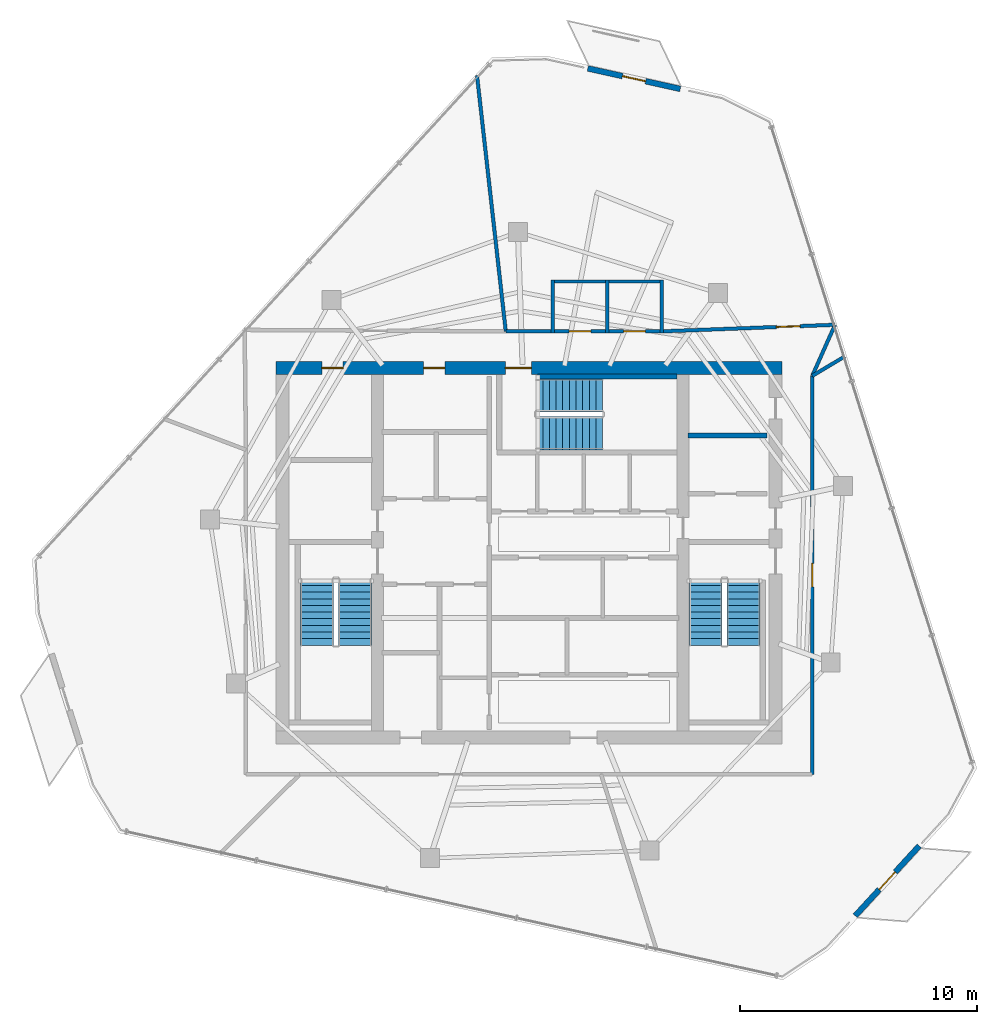
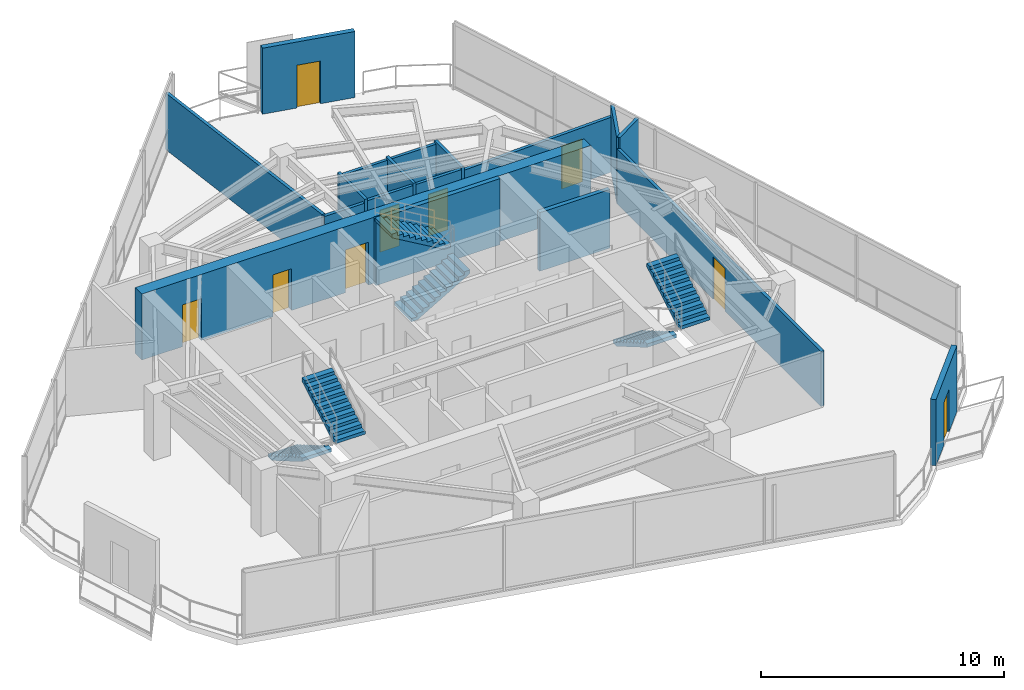
# One storey, part 16 of 18: 18 walls, 9 doors, 6 stair flights, 9 openings, 3 elements without a shape of their own.
"""IFC4 building model written with IfcOpenShell, lengths in metres."""

from ifc_helpers import new_model, si_unit, direction, frame, frame_2d, origin, place, context, subcontext, project, spatial, polyline, rectangle, outline, extrude, material, layer, layer_set, type_object, element, fill, aggregate, save


model = new_model("IFC4")

# Units and contexts
model_context = context("Model", 3, precision=1e-05, world=origin(), true_north=direction((0.0, 1.0)))
body_context = subcontext(model_context, "Body", "Model", "MODEL_VIEW")
ifc_project = project(units=[si_unit("LENGTHUNIT", "METRE"), si_unit("AREAUNIT", "SQUARE_METRE"), si_unit("VOLUMEUNIT", "CUBIC_METRE"), si_unit("PLANEANGLEUNIT", "RADIAN"), si_unit("MASSUNIT", "GRAM", prefix="KILO")], contexts=[model_context])

# Site, building, storey
site_placement = place(None, origin())
site = spatial("IfcSite", under=ifc_project, at=site_placement, CompositionType="ELEMENT")
building_placement = place(site_placement, origin())
building = spatial("IfcBuilding", under=site, at=building_placement, Name="Qarnah Convention Tower", CompositionType="ELEMENT")
storey_placement = place(building_placement, frame((0.0, 0.0, 246.300048828125)))
storey = spatial("IfcBuildingStorey", under=building, at=storey_placement, Name="L66", CompositionType="ELEMENT", Elevation=246.300048828125)

# Wall, openings, doors
ifc_material_1 = material(Name="Concrete C60/75", Category="concrete")
ifc_layer_1 = layer(ifc_material_1, 0.550048828125)
ifc_layer_set_1 = layer_set([ifc_layer_1], Name="Concrete C60/75")
wall_type_1 = type_object("IfcWallType", Name="WL-CORE-550", PredefinedType="SHEAR", material=ifc_layer_set_1)
wall_1_placement = place(storey_placement, frame((26.52490234375, 34.199951171875, 0.0), z_axis=(0.0, 0.0, 1.0), x_axis=(1.0, 0.0, 0.0)))
wall_1 = element("IfcWall", 1, at=wall_1_placement, inside=storey, type_object=wall_type_1, Name="L66 core north shear wall", PredefinedType="SHEAR", context=body_context, shape_type="SweptSolid", body=[
    extrude(rectangle(XDim=21.35009765625, YDim=0.550048828125, at=frame_2d((10.675048828125, 0.0))), origin(), (0.0, 0.0, 1.0), 3.320068359375),
])
opening_1_placement = place(wall_1_placement, frame((9.675048828125, 0.0, 0.0)))
opening_1 = element("IfcOpeningElement", 2, at=opening_1_placement, cuts=wall_1, Name="Opening D-6603", PredefinedType="OPENING", context=body_context, shape_type="SweptSolid", body=[
    extrude(rectangle(XDim=1.10009765625, YDim=2.14990234375, at=frame_2d((0.550048828125, 1.074951171875))), frame((0.0, 0.284912109375, 0.0), z_axis=(0.0, -1.0, 0.0), x_axis=(1.0, 0.0, 0.0)), (0.0, 0.0, 1.0), 0.570068359375),
])
opening_2_placement = place(wall_1_placement, frame((1.925048828125, 0.0, 0.0)))
opening_2 = element("IfcOpeningElement", 3, at=opening_2_placement, cuts=wall_1, Name="Opening D-6609", PredefinedType="OPENING", context=body_context, shape_type="SweptSolid", body=[
    extrude(rectangle(XDim=0.89990234375, YDim=2.10009765625, at=frame_2d((0.449951171875, 1.050048828125))), frame((0.0, 0.284912109375, 0.0), z_axis=(0.0, -1.0, 0.0), x_axis=(1.0, 0.0, 0.0)), (0.0, 0.0, 1.0), 0.570068359375),
])
opening_3_placement = place(wall_1_placement, frame((6.22509765625, 0.0, 0.0)))
opening_3 = element("IfcOpeningElement", 4, at=opening_3_placement, cuts=wall_1, Name="Opening D-6610", PredefinedType="OPENING", context=body_context, shape_type="SweptSolid", body=[
    extrude(rectangle(XDim=0.89990234375, YDim=2.10009765625, at=frame_2d((0.449951171875, 1.050048828125))), frame((0.0, 0.284912109375, 0.0), z_axis=(0.0, -1.0, 0.0), x_axis=(1.0, 0.0, 0.0)), (0.0, 0.0, 1.0), 0.570068359375),
])
ifc_material_2 = material(Name="Structural steel S355JR", Category="steel")
door_type_1 = type_object("IfcDoorType", Name="DT-RISER-900", OperationType="NOTDEFINED", PredefinedType="DOOR", material=ifc_material_2)
door_1_placement = place(opening_2_placement, origin())
door_1 = element("IfcDoor", 5, at=door_1_placement, inside=storey, type_object=door_type_1, Name="Door D-6609", OperationType="SINGLE_SWING_RIGHT", OverallHeight=2.10009765625, OverallWidth=0.89990234375, PredefinedType="DOOR", context=body_context, shape_type="SweptSolid", body=[
    extrude(rectangle(XDim=0.89990234375, YDim=2.10009765625, at=frame_2d((0.449951171875, 1.050048828125))), frame((0.0, 0.02490234375, 0.0), z_axis=(0.0, -1.0, 0.0), x_axis=(1.0, 0.0, 0.0)), (0.0, 0.0, 1.0), 0.050048828125),
])
fill(opening_2, door_1)
door_2_placement = place(opening_3_placement, origin())
door_2 = element("IfcDoor", 6, at=door_2_placement, inside=storey, type_object=door_type_1, Name="Door D-6610", OperationType="SINGLE_SWING_LEFT", OverallHeight=2.10009765625, OverallWidth=0.89990234375, PredefinedType="DOOR", context=body_context, shape_type="SweptSolid", body=[
    extrude(rectangle(XDim=0.89990234375, YDim=2.10009765625, at=frame_2d((0.449951171875, 1.050048828125))), frame((0.0, 0.02490234375, 0.0), z_axis=(0.0, -1.0, 0.0), x_axis=(1.0, 0.0, 0.0)), (0.0, 0.0, 1.0), 0.050048828125),
])
fill(opening_3, door_2)
door_type_2 = type_object("IfcDoorType", Name="DT-STAIR-1100", OperationType="NOTDEFINED", PredefinedType="DOOR", material=ifc_material_2)
door_3_placement = place(opening_1_placement, origin())
door_3 = element("IfcDoor", 7, at=door_3_placement, inside=storey, type_object=door_type_2, Name="Door D-6603", OperationType="SINGLE_SWING_RIGHT", OverallHeight=2.14990234375, OverallWidth=1.10009765625, PredefinedType="DOOR", context=body_context, shape_type="SweptSolid", body=[
    extrude(rectangle(XDim=1.10009765625, YDim=2.14990234375, at=frame_2d((0.550048828125, 1.074951171875))), frame((0.0, 0.02490234375, 0.0), z_axis=(0.0, -1.0, 0.0), x_axis=(1.0, 0.0, 0.0)), (0.0, 0.0, 1.0), 0.050048828125),
])
fill(opening_1, door_3)

# Walls
ifc_material_3 = material(Name="Concrete C45/55", Category="concrete")
ifc_layer_2 = layer(ifc_material_3, 0.199951171875)
ifc_layer_set_2 = layer_set([ifc_layer_2], Name="Concrete C45/55")
wall_type_2 = type_object("IfcWallType", Name="WL-CORE-PART-200", PredefinedType="SOLIDWALL", material=ifc_layer_set_2)
wall_2_placement = place(storey_placement, frame((43.89990234375, 31.35009765625, 0.0), z_axis=(0.0, 0.0, 1.0), x_axis=(1.0, 0.0, 0.0)))
element("IfcWall", 8, at=wall_2_placement, inside=storey, type_object=wall_type_2, Name="L66 interior wall IW-L66-WTRN", PredefinedType="SOLIDWALL", context=body_context, shape_type="SweptSolid", body=[
    extrude(rectangle(XDim=3.35009765625, YDim=0.199951171875, at=frame_2d((1.675048828125, 0.0))), origin(), (0.0, 0.0, 1.0), 2.948974609375),
])
ifc_layer_3 = layer(ifc_material_1, 0.219970703125)
ifc_layer_set_3 = layer_set([ifc_layer_3], Name="Concrete C60/75")
wall_type_3 = type_object("IfcWallType", Name="WL-CORE-STAIR-220", PredefinedType="SHEAR", material=ifc_layer_set_3)
wall_3_placement = place(storey_placement, frame((37.550048828125, 33.840087890625, 0.0), z_axis=(0.0, 0.0, 1.0), x_axis=(1.0, 0.0, 0.0)))
element("IfcWall", 9, at=wall_3_placement, inside=storey, type_object=wall_type_3, Name="L66 stair shaft shear wall SW-L66-ST3N", PredefinedType="SHEAR", context=body_context, shape_type="SweptSolid", body=[
    extrude(rectangle(XDim=5.89990234375, YDim=0.219970703125, at=frame_2d((2.949951171875, 0.0))), origin(), (0.0, 0.0, 1.0), 3.320068359375),
])

# Wall, opening, door
ifc_material_4 = material(Name="Precast concrete C45/55", Category="concrete")
ifc_layer_4 = layer(ifc_material_4, 0.239990234375)
ifc_layer_set_4 = layer_set([ifc_layer_4], Name="Precast concrete C45/55")
wall_type_4 = type_object("IfcWallType", Name="WL-EXT-BAL-240", PredefinedType="SOLIDWALL", material=ifc_layer_set_4)
wall_4_placement = place(storey_placement, frame((39.677001953125, 46.844970703125, 0.0), z_axis=(0.0, 0.0, 1.0), x_axis=(0.976386294002, -0.21603195339, 0.0)))
wall_4 = element("IfcWall", 10, at=wall_4_placement, inside=storey, type_object=wall_type_4, Name="L66 loggia threshold wall BAL-L66-C1", PredefinedType="SOLIDWALL", context=body_context, shape_type="SweptSolid", body=[
    extrude(rectangle(XDim=3.99951171875, YDim=0.239990234375, at=frame_2d((1.999755859375, 0.0))), origin(), (0.0, 0.0, 1.0), 3.320068359375),
])
opening_4_placement = place(wall_4_placement, frame((1.5, 0.0, 0.0)))
opening_4 = element("IfcOpeningElement", 11, at=opening_4_placement, cuts=wall_4, Name="Opening BD-6601", PredefinedType="OPENING", context=body_context, shape_type="SweptSolid", body=[
    extrude(rectangle(XDim=1.0, YDim=2.14990234375, at=frame_2d((0.5, 1.074951171875))), frame((0.0, 0.1298828125, 0.0), z_axis=(0.0, -1.0, 0.0), x_axis=(1.0, 0.0, 0.0)), (0.0, 0.0, 1.0), 0.260009765625),
])
ifc_material_5 = material(Name="Black anodised aluminium", Category="aluminium")
door_type_3 = type_object("IfcDoorType", Name="DT-BAL-1000", OperationType="NOTDEFINED", PredefinedType="DOOR", material=ifc_material_5)
door_4_placement = place(opening_4_placement, origin())
door_4 = element("IfcDoor", 12, at=door_4_placement, inside=storey, type_object=door_type_3, Name="L66 balcony terrace door BAL-L66-C1", OperationType="SINGLE_SWING_LEFT", OverallHeight=2.14990234375, OverallWidth=1.0, PredefinedType="DOOR", context=body_context, shape_type="SweptSolid", body=[
    extrude(rectangle(XDim=1.0, YDim=2.14990234375, at=frame_2d((0.5, 1.074951171875))), frame((0.0, 0.02490234375, 0.0), z_axis=(0.0, -1.0, 0.0), x_axis=(1.0, 0.0, 0.0)), (0.0, 0.0, 1.0), 0.050048828125),
])
fill(opening_4, door_4)

wall_5_placement = place(storey_placement, frame((53.66796875, 14.032958984375, 0.0), z_axis=(0.0, 0.0, 1.0), x_axis=(-0.6754233353, -0.737430212381, 0.0)))
wall_5 = element("IfcWall", 13, at=wall_5_placement, inside=storey, type_object=wall_type_4, Name="L66 loggia threshold wall BAL-L66-C3", PredefinedType="SOLIDWALL", context=body_context, shape_type="SweptSolid", body=[
    extrude(rectangle(XDim=4.000244140625, YDim=0.239990234375, at=frame_2d((2.0, 0.0))), origin(), (0.0, 0.0, 1.0), 3.320068359375),
])
opening_5_placement = place(wall_5_placement, frame((1.5, 0.0, 0.0)))
opening_5 = element("IfcOpeningElement", 14, at=opening_5_placement, cuts=wall_5, Name="Opening BD-6603", PredefinedType="OPENING", context=body_context, shape_type="SweptSolid", body=[
    extrude(rectangle(XDim=1.0, YDim=2.14990234375, at=frame_2d((0.5, 1.074951171875))), frame((0.0, 0.1298828125, 0.0), z_axis=(0.0, -1.0, 0.0), x_axis=(1.0, 0.0, 0.0)), (0.0, 0.0, 1.0), 0.260009765625),
])
door_5_placement = place(opening_5_placement, origin())
door_5 = element("IfcDoor", 15, at=door_5_placement, inside=storey, type_object=door_type_3, Name="L66 balcony terrace door BAL-L66-C3", OperationType="SINGLE_SWING_LEFT", OverallHeight=2.14990234375, OverallWidth=1.0, PredefinedType="DOOR", context=body_context, shape_type="SweptSolid", body=[
    extrude(rectangle(XDim=1.0, YDim=2.14990234375, at=frame_2d((0.5, 1.074951171875))), frame((0.0, 0.02490234375, 0.0), z_axis=(0.0, -1.0, 0.0), x_axis=(1.0, 0.0, 0.0)), (0.0, 0.0, 1.0), 0.050048828125),
])
fill(opening_5, door_5)

# Walls
ifc_material_6 = material(Name="Gypsum partition board")
ifc_layer_5 = layer(ifc_material_6, 0.14990234375)
ifc_layer_set_5 = layer_set([ifc_layer_5], Name="Gypsum partition board")
wall_type_5 = type_object("IfcWallType", Name="WL-SUITE-150", PredefinedType="PARTITIONING", material=ifc_layer_set_5)
wall_6_placement = place(storey_placement, frame((35.0029296875, 46.547119140625, 0.0), z_axis=(0.0, 0.0, 1.0), x_axis=(0.111743460398, -0.993737087493, 0.0)))
element("IfcWall", 16, at=wall_6_placement, inside=storey, type_object=wall_type_5, Name="L66 interior wall IW-L66-R-08", PredefinedType="PARTITIONING", context=body_context, shape_type="SweptSolid", body=[
    extrude(rectangle(XDim=10.865234375, YDim=0.14990234375, at=frame_2d((5.4326171875, 0.0))), origin(), (0.0, 0.0, 1.0), 2.844970703125),
])
wall_7_placement = place(storey_placement, frame((36.217041015625, 35.75, 0.0), z_axis=(0.0, 0.0, 1.0), x_axis=(1.0, 0.0, 0.0)))
element("IfcWall", 17, at=wall_7_placement, inside=storey, type_object=wall_type_5, Name="L66 interior wall IW-L66-R-09", PredefinedType="PARTITIONING", context=body_context, shape_type="SweptSolid", body=[
    extrude(rectangle(XDim=1.912841796875, YDim=0.14990234375, at=frame_2d((0.95654296875, 0.0))), origin(), (0.0, 0.0, 1.0), 2.764892578125),
])

# Wall, opening, door
wall_8_placement = place(storey_placement, frame((42.8701171875, 35.75, 0.0), z_axis=(0.0, 0.0, 1.0), x_axis=(0.999275384893, 0.038061859471, 0.0)))
wall_8 = element("IfcWall", 18, at=wall_8_placement, inside=storey, type_object=wall_type_5, Name="L66 interior wall IW-L66-R-10", PredefinedType="PARTITIONING", context=body_context, shape_type="SweptSolid", body=[
    extrude(rectangle(XDim=7.248291015625, YDim=0.14990234375, at=frame_2d((3.6240234375, 0.0))), origin(), (0.0, 0.0, 1.0), 2.764892578125),
])
opening_6_placement = place(wall_8_placement, frame((4.77197265625, 0.0, 0.0)))
opening_6 = element("IfcOpeningElement", 19, at=opening_6_placement, cuts=wall_8, Name="Opening D-6622", PredefinedType="OPENING", context=body_context, shape_type="SweptSolid", body=[
    extrude(rectangle(XDim=1.0, YDim=2.14990234375, at=frame_2d((0.5, 1.074951171875))), frame((0.0, 0.0849609375, 0.0), z_axis=(0.0, -1.0, 0.0), x_axis=(1.0, 0.0, 0.0)), (0.0, 0.0, 1.0), 0.169921875),
])
ifc_material_7 = material(Name="Oak timber veneer", Category="wood")
door_type_4 = type_object("IfcDoorType", Name="DT-OFFICE-1000", OperationType="NOTDEFINED", PredefinedType="DOOR", material=ifc_material_7)
door_6_placement = place(opening_6_placement, origin())
door_6 = element("IfcDoor", 20, at=door_6_placement, inside=storey, type_object=door_type_4, Name="Door D-6622", OperationType="SINGLE_SWING_LEFT", OverallHeight=2.14990234375, OverallWidth=1.0, PredefinedType="DOOR", context=body_context, shape_type="SweptSolid", body=[
    extrude(rectangle(XDim=1.0, YDim=2.14990234375, at=frame_2d((0.5, 1.074951171875))), frame((0.0, 0.02490234375, 0.0), z_axis=(0.0, -1.0, 0.0), x_axis=(1.0, 0.0, 0.0)), (0.0, 0.0, 1.0), 0.050048828125),
])
fill(opening_6, door_6)

# Walls
wall_9_placement = place(storey_placement, frame((50.113037109375, 36.02587890625, 0.0), z_axis=(0.0, 0.0, 1.0), x_axis=(-0.407412482766, -0.913244254779, 0.0)))
element("IfcWall", 21, at=wall_9_placement, inside=storey, type_object=wall_type_5, Name="L66 interior wall IW-L66-R-11", PredefinedType="PARTITIONING", context=body_context, shape_type="SweptSolid", body=[
    extrude(rectangle(XDim=2.364013671875, YDim=0.14990234375, at=frame_2d((1.18212890625, 0.0))), origin(), (0.0, 0.0, 1.0), 3.320068359375),
])
wall_10_placement = place(storey_placement, frame((49.14990234375, 33.866943359375, 0.0), z_axis=(0.0, 0.0, 1.0), x_axis=(0.857640038482, 0.514250487985, 0.0)))
element("IfcWall", 22, at=wall_10_placement, inside=storey, type_object=wall_type_5, Name="L66 interior wall IW-L66-R-12", PredefinedType="PARTITIONING", context=body_context, shape_type="SweptSolid", body=[
    extrude(rectangle(XDim=1.6103515625, YDim=0.14990234375, at=frame_2d((0.80517578125, 0.0))), origin(), (0.0, 0.0, 1.0), 3.320068359375),
])

# Wall, opening, door
wall_11_placement = place(storey_placement, frame((49.14990234375, 33.866943359375, 0.0), z_axis=(0.0, 0.0, 1.0), x_axis=(0.0, -1.0, 0.0)))
wall_11 = element("IfcWall", 23, at=wall_11_placement, inside=storey, type_object=wall_type_5, Name="L66 interior wall IW-L66-R-21", PredefinedType="PARTITIONING", context=body_context, shape_type="SweptSolid", body=[
    extrude(rectangle(XDim=16.81689453125, YDim=0.14990234375, at=frame_2d((8.408447265625, 0.0))), origin(), (0.0, 0.0, 1.0), 2.764892578125),
])
opening_7_placement = place(wall_11_placement, frame((7.907958984375, 0.0, 0.0)))
opening_7 = element("IfcOpeningElement", 24, at=opening_7_placement, cuts=wall_11, Name="Opening D-6626", PredefinedType="OPENING", context=body_context, shape_type="SweptSolid", body=[
    extrude(rectangle(XDim=1.0, YDim=2.14990234375, at=frame_2d((0.5, 1.074951171875))), frame((0.0, 0.0849609375, 0.0), z_axis=(0.0, -1.0, 0.0), x_axis=(1.0, 0.0, 0.0)), (0.0, 0.0, 1.0), 0.169921875),
])
door_7_placement = place(opening_7_placement, origin())
door_7 = element("IfcDoor", 25, at=door_7_placement, inside=storey, type_object=door_type_4, Name="Door D-6626", OperationType="SINGLE_SWING_LEFT", OverallHeight=2.14990234375, OverallWidth=1.0, PredefinedType="DOOR", context=body_context, shape_type="SweptSolid", body=[
    extrude(rectangle(XDim=1.0, YDim=2.14990234375, at=frame_2d((0.5, 1.074951171875))), frame((0.0, 0.02490234375, 0.0), z_axis=(0.0, -1.0, 0.0), x_axis=(1.0, 0.0, 0.0)), (0.0, 0.0, 1.0), 0.050048828125),
])
fill(opening_7, door_7)

ifc_layer_6 = layer(ifc_material_6, 0.139892578125)
ifc_layer_set_6 = layer_set([ifc_layer_6], Name="Gypsum partition board")
wall_type_6 = type_object("IfcWallType", Name="WL-WET-140", PredefinedType="PARTITIONING", material=ifc_layer_set_6)
wall_12_placement = place(storey_placement, frame((38.1298828125, 35.75, 0.0), z_axis=(0.0, 0.0, 1.0), x_axis=(1.0, 0.0, 0.0)))
wall_12 = element("IfcWall", 26, at=wall_12_placement, inside=storey, type_object=wall_type_6, Name="L66 interior wall IW-L66-WCM-1", PredefinedType="PARTITIONING", context=body_context, shape_type="SweptSolid", body=[
    extrude(rectangle(XDim=2.440185546875, YDim=0.139892578125, at=frame_2d((1.22021484375, 0.0))), origin(), (0.0, 0.0, 1.0), 2.841064453125),
])
opening_8_placement = place(wall_12_placement, frame((0.760009765625, 0.0, 0.0)))
opening_8 = element("IfcOpeningElement", 27, at=opening_8_placement, cuts=wall_12, Name="Opening D-6620", PredefinedType="OPENING", context=body_context, shape_type="SweptSolid", body=[
    extrude(rectangle(XDim=0.919921875, YDim=2.10009765625, at=frame_2d((0.4599609375, 1.050048828125))), frame((0.0, 0.079833984375, 0.0), z_axis=(0.0, -1.0, 0.0), x_axis=(1.0, 0.0, 0.0)), (0.0, 0.0, 1.0), 0.159912109375),
])
door_type_5 = type_object("IfcDoorType", Name="DT-WC-920", OperationType="NOTDEFINED", PredefinedType="DOOR", material=ifc_material_7)
door_8_placement = place(opening_8_placement, origin())
door_8 = element("IfcDoor", 28, at=door_8_placement, inside=storey, type_object=door_type_5, Name="Door D-6620", OperationType="SINGLE_SWING_LEFT", OverallHeight=2.10009765625, OverallWidth=0.919921875, PredefinedType="DOOR", context=body_context, shape_type="SweptSolid", body=[
    extrude(rectangle(XDim=0.919921875, YDim=2.10009765625, at=frame_2d((0.4599609375, 1.050048828125))), frame((0.0, 0.02490234375, 0.0), z_axis=(0.0, -1.0, 0.0), x_axis=(1.0, 0.0, 0.0)), (0.0, 0.0, 1.0), 0.050048828125),
])
fill(opening_8, door_8)

# Walls
wall_13_placement = place(storey_placement, frame((40.5, 35.679931640625, 0.0), z_axis=(0.0, 0.0, 1.0), x_axis=(0.0, 1.0, 0.0)))
element("IfcWall", 29, at=wall_13_placement, inside=storey, type_object=wall_type_6, Name="L66 interior wall IW-L66-WCM-2", PredefinedType="PARTITIONING", context=body_context, shape_type="SweptSolid", body=[
    extrude(rectangle(XDim=2.239990234375, YDim=0.139892578125, at=frame_2d((1.1201171875, 0.0))), origin(), (0.0, 0.0, 1.0), 2.948974609375),
])
wall_14_placement = place(storey_placement, frame((40.570068359375, 37.85009765625, 0.0), z_axis=(0.0, 0.0, 1.0), x_axis=(-1.0, 0.0, 0.0)))
element("IfcWall", 30, at=wall_14_placement, inside=storey, type_object=wall_type_6, Name="L66 interior wall IW-L66-WCM-3", PredefinedType="PARTITIONING", context=body_context, shape_type="SweptSolid", body=[
    extrude(rectangle(XDim=2.440185546875, YDim=0.139892578125, at=frame_2d((1.22021484375, 0.0))), origin(), (0.0, 0.0, 1.0), 2.841064453125),
])
wall_15_placement = place(storey_placement, frame((38.199951171875, 37.919921875, 0.0), z_axis=(0.0, 0.0, 1.0), x_axis=(0.0, -1.0, 0.0)))
element("IfcWall", 31, at=wall_15_placement, inside=storey, type_object=wall_type_6, Name="L66 interior wall IW-L66-WCM-4", PredefinedType="PARTITIONING", context=body_context, shape_type="SweptSolid", body=[
    extrude(rectangle(XDim=2.239990234375, YDim=0.139892578125, at=frame_2d((1.1201171875, 0.0))), origin(), (0.0, 0.0, 1.0), 2.948974609375),
])

# Wall, opening, door
wall_16_placement = place(storey_placement, frame((40.429931640625, 35.75, 0.0), z_axis=(0.0, 0.0, 1.0), x_axis=(1.0, 0.0, 0.0)))
wall_16 = element("IfcWall", 32, at=wall_16_placement, inside=storey, type_object=wall_type_6, Name="L66 interior wall IW-L66-WCF-1", PredefinedType="PARTITIONING", context=body_context, shape_type="SweptSolid", body=[
    extrude(rectangle(XDim=2.440185546875, YDim=0.139892578125, at=frame_2d((1.22021484375, 0.0))), origin(), (0.0, 0.0, 1.0), 2.841064453125),
])
opening_9_placement = place(wall_16_placement, frame((0.760009765625, 0.0, 0.0)))
opening_9 = element("IfcOpeningElement", 33, at=opening_9_placement, cuts=wall_16, Name="Opening D-6621", PredefinedType="OPENING", context=body_context, shape_type="SweptSolid", body=[
    extrude(rectangle(XDim=0.919921875, YDim=2.10009765625, at=frame_2d((0.4599609375, 1.050048828125))), frame((0.0, 0.079833984375, 0.0), z_axis=(0.0, -1.0, 0.0), x_axis=(1.0, 0.0, 0.0)), (0.0, 0.0, 1.0), 0.159912109375),
])
door_9_placement = place(opening_9_placement, origin())
door_9 = element("IfcDoor", 34, at=door_9_placement, inside=storey, type_object=door_type_5, Name="Door D-6621", OperationType="SINGLE_SWING_RIGHT", OverallHeight=2.10009765625, OverallWidth=0.919921875, PredefinedType="DOOR", context=body_context, shape_type="SweptSolid", body=[
    extrude(rectangle(XDim=0.919921875, YDim=2.10009765625, at=frame_2d((0.4599609375, 1.050048828125))), frame((0.0, 0.02490234375, 0.0), z_axis=(0.0, -1.0, 0.0), x_axis=(1.0, 0.0, 0.0)), (0.0, 0.0, 1.0), 0.050048828125),
])
fill(opening_9, door_9)

# Walls
wall_17_placement = place(storey_placement, frame((42.800048828125, 35.679931640625, 0.0), z_axis=(0.0, 0.0, 1.0), x_axis=(0.0, 1.0, 0.0)))
element("IfcWall", 35, at=wall_17_placement, inside=storey, type_object=wall_type_6, Name="L66 interior wall IW-L66-WCF-2", PredefinedType="PARTITIONING", context=body_context, shape_type="SweptSolid", body=[
    extrude(rectangle(XDim=2.239990234375, YDim=0.139892578125, at=frame_2d((1.1201171875, 0.0))), origin(), (0.0, 0.0, 1.0), 2.948974609375),
])
wall_18_placement = place(storey_placement, frame((42.8701171875, 37.85009765625, 0.0), z_axis=(0.0, 0.0, 1.0), x_axis=(-1.0, 0.0, 0.0)))
element("IfcWall", 36, at=wall_18_placement, inside=storey, type_object=wall_type_6, Name="L66 interior wall IW-L66-WCF-3", PredefinedType="PARTITIONING", context=body_context, shape_type="SweptSolid", body=[
    extrude(rectangle(XDim=2.440185546875, YDim=0.139892578125, at=frame_2d((1.22021484375, 0.0))), origin(), (0.0, 0.0, 1.0), 2.841064453125),
])

# Stair, stair flights
ifc_material_8 = material(Name="Concrete C50/60", Category="concrete")
stair_type = type_object("IfcStairType", Name="STR-OFF", PredefinedType="HALF_TURN_STAIR", material=ifc_material_8)
stair_1_placement = place(storey_placement, origin())
stair_1 = element("IfcStair", 37, at=stair_1_placement, inside=storey, type_object=stair_type, Name="L66 Core exit stair ST-1", PredefinedType="HALF_TURN_STAIR")
stair_flight_type = type_object("IfcStairFlightType", Name="FLT-OFF", PredefinedType="STRAIGHT", material=ifc_material_8)
stair_flight_1_placement = place(storey_placement, frame((28.25, 25.300048828125, 0.0), z_axis=(0.0, 0.0, 1.0), x_axis=(0.0, -1.0, 0.0)))
stair_flight_1 = element("IfcStairFlight", 38, at=stair_flight_1_placement, type_object=stair_flight_type, Name="ST-1 flight 1", NumberOfRisers=11, NumberOfTreads=10, PredefinedType="STRAIGHT", RiserHeight=0.163636364, TreadLength=0.28, context=body_context, shape_type="SweptSolid", body=[
    extrude(outline(polyline([(0.0, 0.0), (0.0, 0.16357421875), (0.280029296875, 0.16357421875), (0.280029296875, 0.327392578125), (0.56005859375, 0.327392578125), (0.56005859375, 0.490966796875), (0.840087890625, 0.490966796875), (0.840087890625, 0.654541015625), (1.1201171875, 0.654541015625), (1.1201171875, 0.818115234375), (1.39990234375, 0.818115234375), (1.39990234375, 0.98193359375), (1.679931640625, 0.98193359375), (1.679931640625, 1.1455078125), (1.9599609375, 1.1455078125), (1.9599609375, 1.30908203125), (2.239990234375, 1.30908203125), (2.239990234375, 1.47265625), (2.52001953125, 1.47265625), (2.52001953125, 1.636474609375), (2.800048828125, 1.636474609375), (2.800048828125, 1.800048828125), (2.800048828125, 1.462646484375), (0.297119140625, 0.0), (0.0, 0.0)])), frame((0.0, 0.699951171875, 0.0), z_axis=(0.0, -1.0, 0.0), x_axis=(1.0, 0.0, 0.0)), (0.0, 0.0, 1.0), 1.39990234375),
])
stair_flight_2_placement = place(storey_placement, frame((29.85009765625, 22.5, 1.800048828125), z_axis=(0.0, 0.0, 1.0), x_axis=(0.0, 1.0, 0.0)))
stair_flight_2 = element("IfcStairFlight", 39, at=stair_flight_2_placement, type_object=stair_flight_type, Name="ST-1 flight 2", NumberOfRisers=11, NumberOfTreads=10, PredefinedType="STRAIGHT", RiserHeight=0.163636364, TreadLength=0.28, context=body_context, shape_type="SweptSolid", body=[
    extrude(outline(polyline([(0.0, 0.0), (0.0, 0.16357421875), (0.280029296875, 0.16357421875), (0.280029296875, 0.327392578125), (0.56005859375, 0.327392578125), (0.56005859375, 0.490966796875), (0.840087890625, 0.490966796875), (0.840087890625, 0.654541015625), (1.1201171875, 0.654541015625), (1.1201171875, 0.818115234375), (1.39990234375, 0.818115234375), (1.39990234375, 0.98193359375), (1.679931640625, 0.98193359375), (1.679931640625, 1.1455078125), (1.9599609375, 1.1455078125), (1.9599609375, 1.30908203125), (2.239990234375, 1.30908203125), (2.239990234375, 1.47265625), (2.52001953125, 1.47265625), (2.52001953125, 1.636474609375), (2.800048828125, 1.636474609375), (2.800048828125, 1.800048828125), (2.800048828125, 1.462646484375), (0.297119140625, 0.0), (0.0, 0.0)])), frame((0.0, 0.699951171875, 0.0), z_axis=(0.0, -1.0, 0.0), x_axis=(1.0, 0.0, 0.0)), (0.0, 0.0, 1.0), 1.39990234375),
])
aggregate(stair_1, [stair_flight_1, stair_flight_2])

stair_2_placement = place(storey_placement, origin())
stair_2 = element("IfcStair", 40, at=stair_2_placement, inside=storey, type_object=stair_type, Name="L66 Core exit stair ST-2", PredefinedType="HALF_TURN_STAIR")
stair_flight_3_placement = place(storey_placement, frame((44.64990234375, 25.300048828125, 0.0), z_axis=(0.0, 0.0, 1.0), x_axis=(0.0, -1.0, 0.0)))
stair_flight_3 = element("IfcStairFlight", 41, at=stair_flight_3_placement, type_object=stair_flight_type, Name="ST-2 flight 1", NumberOfRisers=11, NumberOfTreads=10, PredefinedType="STRAIGHT", RiserHeight=0.163636364, TreadLength=0.28, context=body_context, shape_type="SweptSolid", body=[
    extrude(outline(polyline([(0.0, 0.0), (0.0, 0.16357421875), (0.280029296875, 0.16357421875), (0.280029296875, 0.327392578125), (0.56005859375, 0.327392578125), (0.56005859375, 0.490966796875), (0.840087890625, 0.490966796875), (0.840087890625, 0.654541015625), (1.1201171875, 0.654541015625), (1.1201171875, 0.818115234375), (1.39990234375, 0.818115234375), (1.39990234375, 0.98193359375), (1.679931640625, 0.98193359375), (1.679931640625, 1.1455078125), (1.9599609375, 1.1455078125), (1.9599609375, 1.30908203125), (2.239990234375, 1.30908203125), (2.239990234375, 1.47265625), (2.52001953125, 1.47265625), (2.52001953125, 1.636474609375), (2.800048828125, 1.636474609375), (2.800048828125, 1.800048828125), (2.800048828125, 1.462646484375), (0.297119140625, 0.0), (0.0, 0.0)])), frame((0.0, 0.699951171875, 0.0), z_axis=(0.0, -1.0, 0.0), x_axis=(1.0, 0.0, 0.0)), (0.0, 0.0, 1.0), 1.39990234375),
])
stair_flight_4_placement = place(storey_placement, frame((46.25, 22.5, 1.800048828125), z_axis=(0.0, 0.0, 1.0), x_axis=(0.0, 1.0, 0.0)))
stair_flight_4 = element("IfcStairFlight", 42, at=stair_flight_4_placement, type_object=stair_flight_type, Name="ST-2 flight 2", NumberOfRisers=11, NumberOfTreads=10, PredefinedType="STRAIGHT", RiserHeight=0.163636364, TreadLength=0.28, context=body_context, shape_type="SweptSolid", body=[
    extrude(outline(polyline([(0.0, 0.0), (0.0, 0.16357421875), (0.280029296875, 0.16357421875), (0.280029296875, 0.327392578125), (0.56005859375, 0.327392578125), (0.56005859375, 0.490966796875), (0.840087890625, 0.490966796875), (0.840087890625, 0.654541015625), (1.1201171875, 0.654541015625), (1.1201171875, 0.818115234375), (1.39990234375, 0.818115234375), (1.39990234375, 0.98193359375), (1.679931640625, 0.98193359375), (1.679931640625, 1.1455078125), (1.9599609375, 1.1455078125), (1.9599609375, 1.30908203125), (2.239990234375, 1.30908203125), (2.239990234375, 1.47265625), (2.52001953125, 1.47265625), (2.52001953125, 1.636474609375), (2.800048828125, 1.636474609375), (2.800048828125, 1.800048828125), (2.800048828125, 1.462646484375), (0.297119140625, 0.0), (0.0, 0.0)])), frame((0.0, 0.699951171875, 0.0), z_axis=(0.0, -1.0, 0.0), x_axis=(1.0, 0.0, 0.0)), (0.0, 0.0, 1.0), 1.39990234375),
])
aggregate(stair_2, [stair_flight_3, stair_flight_4])

stair_3_placement = place(storey_placement, origin())
stair_3 = element("IfcStair", 43, at=stair_3_placement, inside=storey, type_object=stair_type, Name="L66 Core exit stair ST-3", PredefinedType="HALF_TURN_STAIR")
stair_flight_5_placement = place(storey_placement, frame((37.5, 31.449951171875, 0.0), z_axis=(0.0, 0.0, 1.0), x_axis=(1.0, 0.0, 0.0)))
stair_flight_5 = element("IfcStairFlight", 44, at=stair_flight_5_placement, type_object=stair_flight_type, Name="ST-3 flight 1", NumberOfRisers=11, NumberOfTreads=10, PredefinedType="STRAIGHT", RiserHeight=0.163636364, TreadLength=0.28, context=body_context, shape_type="SweptSolid", body=[
    extrude(outline(polyline([(0.0, 0.0), (0.0, 0.16357421875), (0.280029296875, 0.16357421875), (0.280029296875, 0.327392578125), (0.56005859375, 0.327392578125), (0.56005859375, 0.490966796875), (0.840087890625, 0.490966796875), (0.840087890625, 0.654541015625), (1.1201171875, 0.654541015625), (1.1201171875, 0.818115234375), (1.39990234375, 0.818115234375), (1.39990234375, 0.98193359375), (1.679931640625, 0.98193359375), (1.679931640625, 1.1455078125), (1.9599609375, 1.1455078125), (1.9599609375, 1.30908203125), (2.239990234375, 1.30908203125), (2.239990234375, 1.47265625), (2.52001953125, 1.47265625), (2.52001953125, 1.636474609375), (2.800048828125, 1.636474609375), (2.800048828125, 1.800048828125), (2.800048828125, 1.462646484375), (0.297119140625, 0.0), (0.0, 0.0)])), frame((0.0, 0.699951171875, 0.0), z_axis=(0.0, -1.0, 0.0), x_axis=(1.0, 0.0, 0.0)), (0.0, 0.0, 1.0), 1.39990234375),
])
stair_flight_6_placement = place(storey_placement, frame((40.300048828125, 33.050048828125, 1.800048828125), z_axis=(0.0, 0.0, 1.0), x_axis=(-1.0, 0.0, 0.0)))
stair_flight_6 = element("IfcStairFlight", 45, at=stair_flight_6_placement, type_object=stair_flight_type, Name="ST-3 flight 2", NumberOfRisers=11, NumberOfTreads=10, PredefinedType="STRAIGHT", RiserHeight=0.163636364, TreadLength=0.28, context=body_context, shape_type="SweptSolid", body=[
    extrude(outline(polyline([(0.0, 0.0), (0.0, 0.16357421875), (0.280029296875, 0.16357421875), (0.280029296875, 0.327392578125), (0.56005859375, 0.327392578125), (0.56005859375, 0.490966796875), (0.840087890625, 0.490966796875), (0.840087890625, 0.654541015625), (1.1201171875, 0.654541015625), (1.1201171875, 0.818115234375), (1.39990234375, 0.818115234375), (1.39990234375, 0.98193359375), (1.679931640625, 0.98193359375), (1.679931640625, 1.1455078125), (1.9599609375, 1.1455078125), (1.9599609375, 1.30908203125), (2.239990234375, 1.30908203125), (2.239990234375, 1.47265625), (2.52001953125, 1.47265625), (2.52001953125, 1.636474609375), (2.800048828125, 1.636474609375), (2.800048828125, 1.800048828125), (2.800048828125, 1.462646484375), (0.297119140625, 0.0), (0.0, 0.0)])), frame((0.0, 0.699951171875, 0.0), z_axis=(0.0, -1.0, 0.0), x_axis=(1.0, 0.0, 0.0)), (0.0, 0.0, 1.0), 1.39990234375),
])
aggregate(stair_3, [stair_flight_5, stair_flight_6])

save(model, "model.ifc")
